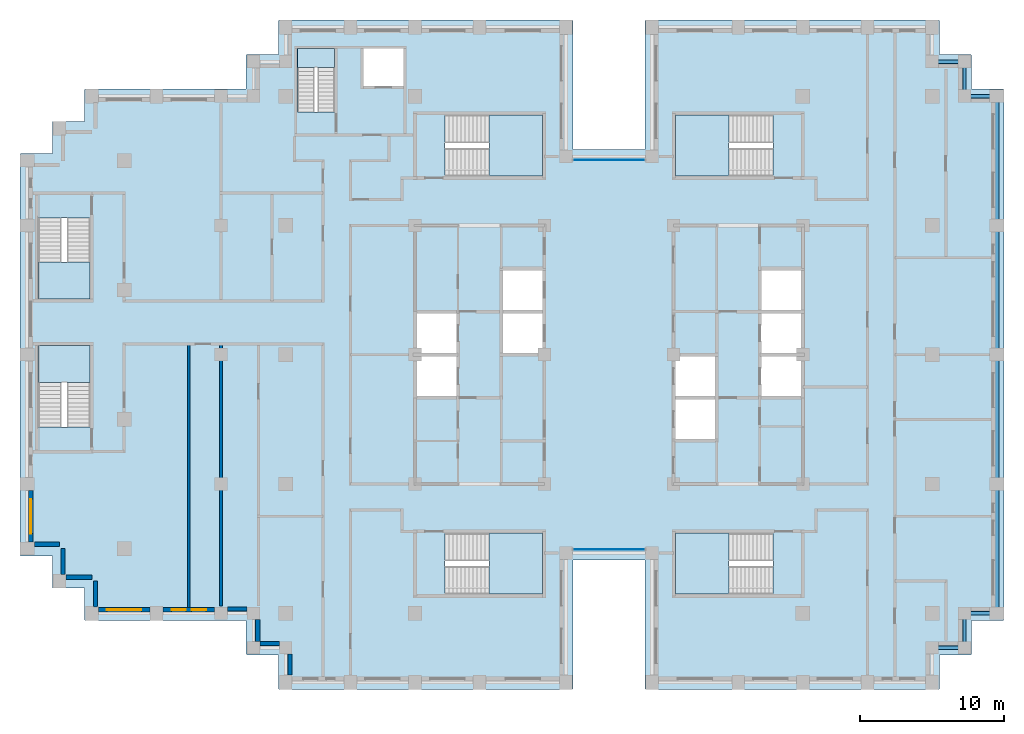
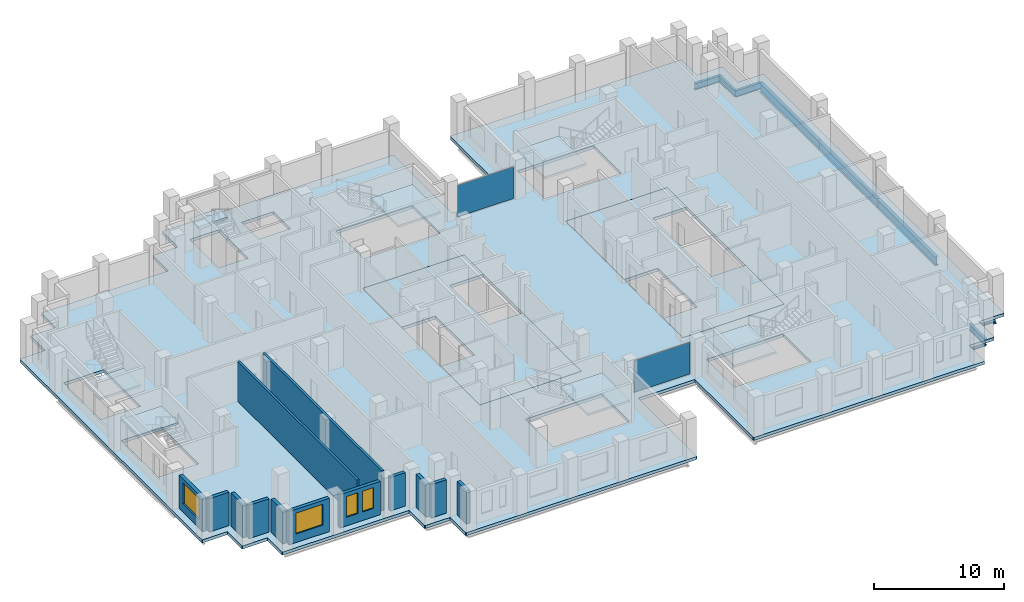
# One storey, part 5 of 15: 13 walls, 10 beams, 10 slabs, 4 windows, 2 plates, 4 openings, 9 elements without a shape of their own.
"""IFC4 building model written with IfcOpenShell, lengths in metres."""

from ifc_helpers import new_model, si_unit, direction, frame, frame_2d, origin, origin_2d, place, context, subcontext, project, spatial, polyline, rectangle, i_section, outline, extrude, material, layer, layer_set, material_profile, profile_set, type_object, element, fill, aggregate, save


model = new_model("IFC4")

# Units and contexts
model_context = context("Model", 3, precision=1e-05, world=origin(), true_north=direction((0.0, 1.0)))
body_context = subcontext(model_context, "Body", "Model", "MODEL_VIEW")
ifc_project = project(units=[si_unit("LENGTHUNIT", "METRE"), si_unit("AREAUNIT", "SQUARE_METRE"), si_unit("VOLUMEUNIT", "CUBIC_METRE"), si_unit("PLANEANGLEUNIT", "RADIAN"), si_unit("MASSUNIT", "GRAM", prefix="KILO")], contexts=[model_context])

# Site, building, storey
site_placement = place(None, origin())
site = spatial("IfcSite", under=ifc_project, at=site_placement, CompositionType="ELEMENT")
building_placement = place(site_placement, origin())
building = spatial("IfcBuilding", under=site, at=building_placement, Name="Corbelhall Arena Tower", CompositionType="ELEMENT")
storey_placement = place(building_placement, frame((0.0, 0.0, 196.0)))
storey = spatial("IfcBuildingStorey", under=building, at=storey_placement, Name="L40", CompositionType="ELEMENT", Elevation=196.0)

# Beams
ifc_material_1 = material(Name="Steel ASTM A992 Gr50", Category="steel")
ifc_material_profile_1 = material_profile(ifc_material_1, i_section(OverallWidth=0.228271484375, OverallDepth=0.607177734375, WebThickness=0.01123046875, FlangeThickness=0.017333984375, at=origin_2d()))
ifc_profile_set_1 = profile_set([ifc_material_profile_1], Name="Steel ASTM A992 Gr50")
beam_type_1 = type_object("IfcBeamType", Name="ST-SPANDREL-W24x76", PredefinedType="SPANDREL", material=ifc_profile_set_1)
for number, where, z_axis, x_axis, name in (
    (1, (27.0, -18.0, -0.58349609375), (-1.0, 0.0, 0.0), (0.0, -1.0, 0.0), "Beam SP 12"),
    (2, (22.5, 20.39990234375, -0.58349609375), (1.0, 0.0, 0.0), (0.0, 1.0, 0.0), "Beam SP 39"),
):
    element("IfcBeam", number, at=place(storey_placement, frame(where, z_axis=z_axis, x_axis=x_axis)), inside=storey, type_object=beam_type_1, Name=name, PredefinedType="SPANDREL", context=body_context, shape_type="SweptSolid", body=[
        extrude(i_section(OverallWidth=0.228271484375, OverallDepth=0.607177734375, WebThickness=0.01123046875, FlangeThickness=0.017333984375, at=origin_2d()), origin(), (0.0, 0.0, 1.0), 2.25),
    ])
beam_1_placement = place(storey_placement, frame((24.75, 20.39990234375, -0.58349609375), z_axis=(0.0, -1.0, 0.0), x_axis=(1.0, 0.0, 0.0)))
element("IfcBeam", 3, at=beam_1_placement, inside=storey, type_object=beam_type_1, Name="Beam SP 40", PredefinedType="SPANDREL", context=body_context, shape_type="SweptSolid", body=[
    extrude(i_section(OverallWidth=0.228271484375, OverallDepth=0.607177734375, WebThickness=0.01123046875, FlangeThickness=0.017333984375, at=origin_2d()), origin(), (0.0, 0.0, 1.0), 2.39990234375),
])
for number, where, z_axis, x_axis, name in (
    (4, (24.75, 18.0, -0.58349609375), (1.0, 0.0, 0.0), (0.0, 1.0, 0.0), "Beam SP 41"),
    (5, (24.75, -20.39990234375, -0.58349609375), (-1.0, 0.0, 0.0), (0.0, -1.0, 0.0), "Beam SP 46"),
):
    element("IfcBeam", number, at=place(storey_placement, frame(where, z_axis=z_axis, x_axis=x_axis)), inside=storey, type_object=beam_type_1, Name=name, PredefinedType="SPANDREL", context=body_context, shape_type="SweptSolid", body=[
        extrude(i_section(OverallWidth=0.228271484375, OverallDepth=0.607177734375, WebThickness=0.01123046875, FlangeThickness=0.017333984375, at=origin_2d()), origin(), (0.0, 0.0, 1.0), 2.25),
    ])
beam_2_placement = place(storey_placement, frame((24.75, -18.0, -0.58349609375), z_axis=(0.0, -1.0, 0.0), x_axis=(1.0, 0.0, 0.0)))
element("IfcBeam", 6, at=beam_2_placement, inside=storey, type_object=beam_type_1, Name="Beam SP 47", PredefinedType="SPANDREL", context=body_context, shape_type="SweptSolid", body=[
    extrude(i_section(OverallWidth=0.228271484375, OverallDepth=0.607177734375, WebThickness=0.01123046875, FlangeThickness=0.017333984375, at=origin_2d()), origin(), (0.0, 0.0, 1.0), 2.39990234375),
])
ifc_material_profile_2 = material_profile(ifc_material_1, i_section(OverallWidth=0.2919921875, OverallDepth=0.845703125, WebThickness=0.015380859375, FlangeThickness=0.0244140625, at=origin_2d()))
ifc_profile_set_2 = profile_set([ifc_material_profile_2], Name="Steel ASTM A992 Gr50")
beam_type_2 = type_object("IfcBeamType", Name="ST-SPANDREL-W33x141", PredefinedType="SPANDREL", material=ifc_profile_set_2)
for number, where, z_axis, x_axis, name in (
    (7, (27.0, 0.0, -0.702880859375), (0.0, -1.0, 0.0), (1.0, 0.0, 0.0), "Beam SP 8"),
    (8, (27.0, 9.0, -0.702880859375), (0.0, -1.0, 0.0), (1.0, 0.0, 0.0), "Beam SP 9"),
    (9, (27.0, 18.0, -0.702880859375), (0.0, -1.0, 0.0), (1.0, 0.0, 0.0), "Beam SP 10"),
    (10, (27.0, -9.0, -0.702880859375), (0.0, -1.0, 0.0), (1.0, 0.0, 0.0), "Beam SP 11"),
):
    element("IfcBeam", number, at=place(storey_placement, frame(where, z_axis=z_axis, x_axis=x_axis)), inside=storey, type_object=beam_type_2, Name=name, PredefinedType="SPANDREL", context=body_context, shape_type="SweptSolid", body=[
        extrude(i_section(OverallWidth=0.2919921875, OverallDepth=0.845703125, WebThickness=0.015380859375, FlangeThickness=0.0244140625, at=origin_2d()), origin(), (0.0, 0.0, 1.0), 9.0),
    ])

# Curtain wall, plate
ifc_material_2 = material(Name="Aluminium black anodised", Category="aluminium")
ifc_layer_1 = layer(ifc_material_2, 0.199951171875)
ifc_layer_set_1 = layer_set([ifc_layer_1], Name="EV-CW1 Slot back wall")
curtain_wall_type = type_object("IfcCurtainWallType", Name="EV-CW1 Slot back wall", PredefinedType="NOTDEFINED", material=ifc_layer_set_1)
curtain_wall_1_placement = place(storey_placement, origin())
curtain_wall_1 = element("IfcCurtainWall", 11, at=curtain_wall_1_placement, inside=storey, type_object=curtain_wall_type, Name="Curtain wall CW1", PredefinedType="NOTDEFINED")
ifc_material_3 = material(Name="Glass dark tinted laminated", Category="glass")
ifc_layer_2 = layer(ifc_material_3, 0.028076171875)
ifc_layer_set_2 = layer_set([ifc_layer_2], Name="EV-CW1-PANEL")
plate_type = type_object("IfcPlateType", Name="EV-CW1-PANEL", PredefinedType="CURTAIN_PANEL", material=ifc_layer_set_2)
plate_1_placement = place(storey_placement, frame((0.0, -13.550048828125, 0.0751953125), z_axis=(0.0, 0.0, 1.0), x_axis=(1.0, 0.0, 0.0)))
plate_1 = element("IfcPlate", 12, at=plate_1_placement, type_object=plate_type, Name="CW1 panel 1.1", PredefinedType="CURTAIN_PANEL", context=body_context, shape_type="SweptSolid", body=[
    extrude(rectangle(XDim=4.949951171875, YDim=0.028076171875, at=origin_2d()), origin(), (0.0, 0.0, 1.0), 2.969970703125),
])
aggregate(curtain_wall_1, [plate_1])

curtain_wall_2_placement = place(storey_placement, origin())
curtain_wall_2 = element("IfcCurtainWall", 13, at=curtain_wall_2_placement, inside=storey, type_object=curtain_wall_type, Name="Curtain wall CW1", PredefinedType="NOTDEFINED")
plate_2_placement = place(storey_placement, frame((0.0, 13.550048828125, 0.0751953125), z_axis=(0.0, 0.0, 1.0), x_axis=(-1.0, 0.0, 0.0)))
plate_2 = element("IfcPlate", 14, at=plate_2_placement, type_object=plate_type, Name="CW1 panel 1.1", PredefinedType="CURTAIN_PANEL", context=body_context, shape_type="SweptSolid", body=[
    extrude(rectangle(XDim=4.949951171875, YDim=0.028076171875, at=origin_2d()), origin(), (0.0, 0.0, 1.0), 2.969970703125),
])
aggregate(curtain_wall_2, [plate_2])

# Slabs
ifc_material_4 = material(Name="Concrete C40/50", Category="concrete")
ifc_layer_3 = layer(ifc_material_4, 0.300048828125)
ifc_layer_set_3 = layer_set([ifc_layer_3], Name="IN-SL-CORE")
slab_type_1 = type_object("IfcSlabType", Name="IN-SL-CORE", PredefinedType="FLOOR", material=ifc_layer_set_3)
slab_1_placement = place(storey_placement, frame((0.0, 0.0, -0.280029296875)))
element("IfcSlab", 15, at=slab_1_placement, inside=storey, type_object=slab_type_1, Name="Core floor W", PredefinedType="FLOOR", context=body_context, shape_type="SweptSolid", body=[
    extrude(outline(polyline([(-10.5, -3.0), (-13.5, -3.0), (-13.5, -9.0), (-4.5, -9.0), (-4.5, 0.0), (-7.5, 0.0), (-7.5, 3.0), (-7.5, 6.0), (-4.5, 6.0), (-4.5, 9.0), (-13.5, 9.0), (-13.5, 3.0), (-10.5, 3.0), (-10.5, 0.0), (-10.5, -3.0)])), origin(), (0.0, 0.0, 1.0), 0.280029296875),
])
slab_2_placement = place(storey_placement, frame((0.0, 0.0, -0.280029296875)))
element("IfcSlab", 16, at=slab_2_placement, inside=storey, type_object=slab_type_1, Name="Core floor E", PredefinedType="FLOOR", context=body_context, shape_type="SweptSolid", body=[
    extrude(outline(polyline([(13.5, -3.0), (10.5, -3.0), (10.5, 0.0), (10.5, 3.0), (10.5, 6.0), (13.5, 6.0), (13.5, 9.0), (4.5, 9.0), (4.5, 0.0), (7.5, 0.0), (7.5, -3.0), (7.5, -6.0), (4.5, -6.0), (4.5, -9.0), (13.5, -9.0), (13.5, -3.0)])), origin(), (0.0, 0.0, 1.0), 0.280029296875),
])

# Stair, slab
stair_type = type_object("IfcStairType", Name="IN-ST-TOWER", PredefinedType="HALF_TURN_STAIR", material=ifc_material_4)
stair_1_placement = place(storey_placement, origin())
stair_1 = element("IfcStair", 17, at=stair_1_placement, inside=storey, type_object=stair_type, Name="L40 Exit stair ST1", PredefinedType="HALF_TURN_STAIR")
ifc_layer_4 = layer(ifc_material_4, 0.199951171875)
ifc_layer_set_4 = layer_set([ifc_layer_4], Name="IN-SL-LANDING")
slab_type_2 = type_object("IfcSlabType", Name="IN-SL-LANDING", PredefinedType="LANDING", material=ifc_layer_set_4)
slab_3_placement = place(storey_placement, frame((0.0, 0.0, 1.800048828125)))
slab_3 = element("IfcSlab", 18, at=slab_3_placement, type_object=slab_type_2, Name="ST1 landing 1", PredefinedType="LANDING", context=body_context, shape_type="SweptSolid", body=[
    extrude(outline(polyline([(-8.344970703125, 12.425048828125), (-4.625, 12.425048828125), (-4.625, 16.675048828125), (-8.344970703125, 16.675048828125), (-8.344970703125, 12.425048828125)])), origin(), (0.0, 0.0, 1.0), 0.199951171875),
])
aggregate(stair_1, [slab_3])

stair_2_placement = place(storey_placement, origin())
stair_2 = element("IfcStair", 19, at=stair_2_placement, inside=storey, type_object=stair_type, Name="L40 Exit stair ST2", PredefinedType="HALF_TURN_STAIR")
slab_4_placement = place(storey_placement, frame((0.0, 0.0, 1.800048828125)))
slab_4 = element("IfcSlab", 20, at=slab_4_placement, type_object=slab_type_2, Name="ST2 landing 1", PredefinedType="LANDING", context=body_context, shape_type="SweptSolid", body=[
    extrude(outline(polyline([(-8.344970703125, -16.675048828125), (-4.625, -16.675048828125), (-4.625, -12.425048828125), (-8.344970703125, -12.425048828125), (-8.344970703125, -16.675048828125)])), origin(), (0.0, 0.0, 1.0), 0.199951171875),
])
aggregate(stair_2, [slab_4])

stair_3_placement = place(storey_placement, origin())
stair_3 = element("IfcStair", 21, at=stair_3_placement, inside=storey, type_object=stair_type, Name="L40 Exit stair ST3", PredefinedType="HALF_TURN_STAIR")
slab_5_placement = place(storey_placement, frame((0.0, 0.0, 1.800048828125)))
slab_5 = element("IfcSlab", 22, at=slab_5_placement, type_object=slab_type_2, Name="ST3 landing 1", PredefinedType="LANDING", context=body_context, shape_type="SweptSolid", body=[
    extrude(outline(polyline([(8.344970703125, 16.675048828125), (4.625, 16.675048828125), (4.625, 12.425048828125), (8.344970703125, 12.425048828125), (8.344970703125, 16.675048828125)])), origin(), (0.0, 0.0, 1.0), 0.199951171875),
])
aggregate(stair_3, [slab_5])

stair_4_placement = place(storey_placement, origin())
stair_4 = element("IfcStair", 23, at=stair_4_placement, inside=storey, type_object=stair_type, Name="L40 Exit stair ST4", PredefinedType="HALF_TURN_STAIR")
slab_6_placement = place(storey_placement, frame((0.0, 0.0, 1.800048828125)))
slab_6 = element("IfcSlab", 24, at=slab_6_placement, type_object=slab_type_2, Name="ST4 landing 1", PredefinedType="LANDING", context=body_context, shape_type="SweptSolid", body=[
    extrude(outline(polyline([(8.344970703125, -12.425048828125), (4.625, -12.425048828125), (4.625, -16.675048828125), (8.344970703125, -16.675048828125), (8.344970703125, -12.425048828125)])), origin(), (0.0, 0.0, 1.0), 0.199951171875),
])
aggregate(stair_4, [slab_6])

stair_5_placement = place(storey_placement, origin())
stair_5 = element("IfcStair", 25, at=stair_5_placement, inside=storey, type_object=stair_type, Name="L40 Exit stair SC1", PredefinedType="HALF_TURN_STAIR")
slab_7_placement = place(storey_placement, frame((0.0, 0.0, 1.800048828125)))
slab_7 = element("IfcSlab", 26, at=slab_7_placement, type_object=slab_type_2, Name="SC1 landing 1", PredefinedType="LANDING", context=body_context, shape_type="SweptSolid", body=[
    extrude(outline(polyline([(-39.699951171875, 6.445068359375), (-39.699951171875, 3.875), (-36.125, 3.875), (-36.125, 6.445068359375), (-39.699951171875, 6.445068359375)])), origin(), (0.0, 0.0, 1.0), 0.199951171875),
])
aggregate(stair_5, [slab_7])

stair_6_placement = place(storey_placement, origin())
stair_6 = element("IfcStair", 27, at=stair_6_placement, inside=storey, type_object=stair_type, Name="L40 Exit stair SC2", PredefinedType="HALF_TURN_STAIR")
slab_8_placement = place(storey_placement, frame((0.0, 0.0, 1.800048828125)))
slab_8 = element("IfcSlab", 28, at=slab_8_placement, type_object=slab_type_2, Name="SC2 landing 1", PredefinedType="LANDING", context=body_context, shape_type="SweptSolid", body=[
    extrude(outline(polyline([(-36.125, -1.945068359375), (-36.125, 0.625), (-39.699951171875, 0.625), (-39.699951171875, -1.945068359375), (-36.125, -1.945068359375)])), origin(), (0.0, 0.0, 1.0), 0.199951171875),
])
aggregate(stair_6, [slab_8])

stair_7_placement = place(storey_placement, origin())
stair_7 = element("IfcStair", 29, at=stair_7_placement, inside=storey, type_object=stair_type, Name="L40 Exit stair ST5", PredefinedType="HALF_TURN_STAIR")
slab_9_placement = place(storey_placement, frame((0.0, 0.0, 1.800048828125)))
slab_9 = element("IfcSlab", 30, at=slab_9_placement, type_object=slab_type_2, Name="ST5 landing 1", PredefinedType="LANDING", context=body_context, shape_type="SweptSolid", body=[
    extrude(outline(polyline([(-19.094970703125, 19.97998046875), (-19.094970703125, 21.300048828125), (-21.695068359375, 21.300048828125), (-21.695068359375, 19.97998046875), (-19.094970703125, 19.97998046875)])), origin(), (0.0, 0.0, 1.0), 0.199951171875),
])
aggregate(stair_7, [slab_9])

# Slab
ifc_layer_5 = layer(ifc_material_4, 0.280029296875)
ifc_layer_set_5 = layer_set([ifc_layer_5], Name="ST-SLAB-FLOOR-280")
slab_type_3 = type_object("IfcSlabType", Name="ST-SLAB-FLOOR-280", PredefinedType="FLOOR", material=ifc_layer_set_5)
slab_10_placement = place(storey_placement, frame((0.0, 0.0, -0.280029296875)))
element("IfcSlab", 31, at=slab_10_placement, inside=storey, type_object=slab_type_3, Name="Floor slab L40 1", PredefinedType="FLOOR", context=body_context, shape_type="SweptSolid", body=[
    extrude(outline(polyline([(23.0, 23.25), (22.949951171875, 23.300048828125), (2.550048828125, 23.300048828125), (2.5, 23.25), (2.5, 14.300048828125), (-2.5, 14.300048828125), (-2.5, 23.25), (-2.550048828125, 23.300048828125), (-22.949951171875, 23.300048828125), (-23.0, 23.25), (-23.0, 20.89990234375), (-25.199951171875, 20.89990234375), (-25.25, 20.85009765625), (-25.25, 18.5), (-36.449951171875, 18.5), (-36.5, 18.449951171875), (-36.5, 16.25), (-38.699951171875, 16.25), (-38.75, 16.199951171875), (-38.75, 14.0), (-40.949951171875, 14.0), (-41.0, 13.949951171875), (-41.0, -13.949951171875), (-40.949951171875, -14.0), (-38.75, -14.0), (-38.75, -16.199951171875), (-38.699951171875, -16.25), (-36.5, -16.25), (-36.5, -18.449951171875), (-36.449951171875, -18.5), (-25.25, -18.5), (-25.25, -20.85009765625), (-25.199951171875, -20.89990234375), (-23.0, -20.89990234375), (-23.0, -23.25), (-22.949951171875, -23.300048828125), (-2.550048828125, -23.300048828125), (-2.5, -23.25), (-2.5, -14.300048828125), (2.5, -14.300048828125), (2.5, -23.25), (2.550048828125, -23.300048828125), (22.949951171875, -23.300048828125), (23.0, -23.25), (23.0, -20.89990234375), (25.199951171875, -20.89990234375), (25.25, -20.85009765625), (25.25, -18.5), (27.449951171875, -18.5), (27.5, -18.449951171875), (27.5, 18.449951171875), (27.449951171875, 18.5), (25.25, 18.5), (25.25, 20.85009765625), (25.199951171875, 20.89990234375), (23.0, 20.89990234375), (23.0, 23.25)]), holes=[polyline([(-4.5, -9.0), (-4.5, 9.0), (-13.5, 9.0), (-13.5, -9.0), (-4.5, -9.0)]), polyline([(13.5, -9.0), (13.5, 9.0), (4.5, 9.0), (4.5, -9.0), (13.5, -9.0)]), polyline([(-11.422119140625, 12.425048828125), (-4.625, 12.425048828125), (-4.625, 16.675048828125), (-11.422119140625, 16.675048828125), (-11.422119140625, 12.425048828125)]), polyline([(-11.422119140625, -12.425048828125), (-11.422119140625, -16.675048828125), (-4.625, -16.675048828125), (-4.625, -12.425048828125), (-11.422119140625, -12.425048828125)]), polyline([(4.625, 12.425048828125), (11.422119140625, 12.425048828125), (11.422119140625, 16.675048828125), (4.625, 16.675048828125), (4.625, 12.425048828125)]), polyline([(4.625, -12.425048828125), (4.625, -16.675048828125), (11.422119140625, -16.675048828125), (11.422119140625, -12.425048828125), (4.625, -12.425048828125)]), polyline([(-39.699951171875, 9.52197265625), (-39.699951171875, 3.875), (-36.125, 3.875), (-36.125, 9.52197265625), (-39.699951171875, 9.52197265625)]), polyline([(-39.699951171875, -5.02197265625), (-36.125, -5.02197265625), (-36.125, 0.625), (-39.699951171875, 0.625), (-39.699951171875, -5.02197265625)]), polyline([(-21.695068359375, 21.300048828125), (-21.695068359375, 16.903076171875), (-19.094970703125, 16.903076171875), (-19.094970703125, 21.300048828125), (-21.695068359375, 21.300048828125)]), polyline([(-14.300048828125, 21.300048828125), (-17.10009765625, 21.300048828125), (-17.10009765625, 18.699951171875), (-14.300048828125, 18.699951171875), (-14.300048828125, 21.300048828125)])]), origin(), (0.0, 0.0, 1.0), 0.280029296875),
])

# Walls
ifc_material_5 = material(Name="Precast concrete C40/50 with granite facing", Category="masonry")
ifc_layer_6 = layer(ifc_material_5, 0.300048828125)
ifc_layer_set_6 = layer_set([ifc_layer_6], Name="EV-IW1 Infill panel 300")
wall_type_1 = type_object("IfcWallType", Name="EV-IW1 Infill panel 300", PredefinedType="SOLIDWALL", material=ifc_layer_set_6)
wall_1_placement = place(storey_placement, frame((-40.0, -13.199951171875, 0.0), z_axis=(0.0, 0.0, 1.0), x_axis=(1.0, 0.0, 0.0)))
element("IfcWall", 32, at=wall_1_placement, inside=storey, type_object=wall_type_1, Name="Infill panel IW1", PredefinedType="SOLIDWALL", context=body_context, shape_type="SweptSolid", body=[
    extrude(rectangle(XDim=1.75, YDim=0.300048828125, at=frame_2d((0.875, 0.0))), origin(), (0.0, 0.0, 1.0), 3.1201171875),
])
for number, where, z_axis, x_axis, name in (
    (33, (-38.0, -15.300048828125, 0.0), (0.0, 0.0, 1.0), (0.0, 1.0, 0.0), "Infill panel IW1"),
    (34, (-37.800048828125, -15.5, 0.0), (0.0, 0.0, 1.0), (1.0, 0.0, 0.0), "Infill panel IW1"),
    (35, (-35.75, -17.550048828125, 0.0), (0.0, 0.0, 1.0), (0.0, 1.0, 0.0), "Infill panel IW1"),
):
    element("IfcWall", number, at=place(storey_placement, frame(where, z_axis=z_axis, x_axis=x_axis)), inside=storey, type_object=wall_type_1, Name=name, PredefinedType="SOLIDWALL", context=body_context, shape_type="SweptSolid", body=[
        extrude(rectangle(XDim=1.800048828125, YDim=0.300048828125, at=frame_2d((0.89990234375, 0.0))), origin(), (0.0, 0.0, 1.0), 3.1201171875),
    ])

# Wall, opening, window
wall_2_placement = place(storey_placement, frame((-40.25, -9.449951171875, 0.0), z_axis=(0.0, 0.0, 1.0), x_axis=(0.0, -1.0, 0.0)))
wall_2 = element("IfcWall", 36, at=wall_2_placement, inside=storey, type_object=wall_type_1, Name="Infill panel IW1", PredefinedType="SOLIDWALL", context=body_context, shape_type="SweptSolid", body=[
    extrude(rectangle(XDim=3.60009765625, YDim=0.300048828125, at=frame_2d((1.800048828125, 0.0))), origin(), (0.0, 0.0, 1.0), 3.1201171875),
])
opening_1_placement = place(wall_2_placement, frame((0.60009765625, 0.0, 0.800048828125)))
opening_1 = element("IfcOpeningElement", 37, at=opening_1_placement, cuts=wall_2, Name="Opening WN1", PredefinedType="OPENING", context=body_context, shape_type="SweptSolid", body=[
    extrude(rectangle(XDim=2.39990234375, YDim=1.949951171875, at=frame_2d((1.199951171875, 0.97509765625))), frame((0.0, 0.14990234375, 0.0), z_axis=(0.0, -1.0, 0.0), x_axis=(1.0, 0.0, 0.0)), (0.0, 0.0, 1.0), 0.300048828125),
])
window_type_1 = type_object("IfcWindowType", Name="EV-WN1 Office window", PartitioningType="SINGLE_PANEL", PredefinedType="WINDOW", material=ifc_material_2)
window_1_placement = place(opening_1_placement, origin())
window_1 = element("IfcWindow", 38, at=window_1_placement, inside=storey, type_object=window_type_1, Name="Window WN1", OverallHeight=1.949951171875, OverallWidth=2.39990234375, PartitioningType="SINGLE_PANEL", PredefinedType="WINDOW", context=body_context, shape_type="SweptSolid", body=[
    extrude(rectangle(XDim=2.39990234375, YDim=1.949951171875, at=frame_2d((1.199951171875, 0.97509765625))), frame((0.0, 0.030029296875, 0.0), z_axis=(0.0, -1.0, 0.0), x_axis=(1.0, 0.0, 0.0)), (0.0, 0.0, 1.0), 0.06005859375),
])
fill(opening_1, window_1)

wall_3_placement = place(storey_placement, frame((-35.550048828125, -17.75, 0.0), z_axis=(0.0, 0.0, 1.0), x_axis=(1.0, 0.0, 0.0)))
wall_3 = element("IfcWall", 39, at=wall_3_placement, inside=storey, type_object=wall_type_1, Name="Infill panel IW1", PredefinedType="SOLIDWALL", context=body_context, shape_type="SweptSolid", body=[
    extrude(rectangle(XDim=3.60009765625, YDim=0.300048828125, at=frame_2d((1.800048828125, 0.0))), origin(), (0.0, 0.0, 1.0), 3.1201171875),
])
opening_2_placement = place(wall_3_placement, frame((0.60009765625, 0.0, 0.800048828125)))
opening_2 = element("IfcOpeningElement", 40, at=opening_2_placement, cuts=wall_3, Name="Opening WN1", PredefinedType="OPENING", context=body_context, shape_type="SweptSolid", body=[
    extrude(rectangle(XDim=2.39990234375, YDim=1.949951171875, at=frame_2d((1.199951171875, 0.97509765625))), frame((0.0, 0.14990234375, 0.0), z_axis=(0.0, -1.0, 0.0), x_axis=(1.0, 0.0, 0.0)), (0.0, 0.0, 1.0), 0.300048828125),
])
window_2_placement = place(opening_2_placement, origin())
window_2 = element("IfcWindow", 41, at=window_2_placement, inside=storey, type_object=window_type_1, Name="Window WN1", OverallHeight=1.949951171875, OverallWidth=2.39990234375, PartitioningType="SINGLE_PANEL", PredefinedType="WINDOW", context=body_context, shape_type="SweptSolid", body=[
    extrude(rectangle(XDim=2.39990234375, YDim=1.949951171875, at=frame_2d((1.199951171875, 0.97509765625))), frame((0.0, 0.030029296875, 0.0), z_axis=(0.0, -1.0, 0.0), x_axis=(1.0, 0.0, 0.0)), (0.0, 0.0, 1.0), 0.06005859375),
])
fill(opening_2, window_2)

# Wall, openings, windows
wall_4_placement = place(storey_placement, frame((-31.050048828125, -17.75, 0.0), z_axis=(0.0, 0.0, 1.0), x_axis=(1.0, 0.0, 0.0)))
wall_4 = element("IfcWall", 42, at=wall_4_placement, inside=storey, type_object=wall_type_1, Name="Infill panel IW1", PredefinedType="SOLIDWALL", context=body_context, shape_type="SweptSolid", body=[
    extrude(rectangle(XDim=3.60009765625, YDim=0.300048828125, at=frame_2d((1.800048828125, 0.0))), origin(), (0.0, 0.0, 1.0), 3.1201171875),
])
opening_3_placement = place(wall_4_placement, frame((0.60009765625, 0.0, 0.800048828125)))
opening_3 = element("IfcOpeningElement", 43, at=opening_3_placement, cuts=wall_4, Name="Opening WN6", PredefinedType="OPENING", context=body_context, shape_type="SweptSolid", body=[
    extrude(rectangle(XDim=1.0, YDim=1.949951171875, at=frame_2d((0.5, 0.97509765625))), frame((0.0, 0.14990234375, 0.0), z_axis=(0.0, -1.0, 0.0), x_axis=(1.0, 0.0, 0.0)), (0.0, 0.0, 1.0), 0.300048828125),
])
opening_4_placement = place(wall_4_placement, frame((2.0, 0.0, 0.800048828125)))
opening_4 = element("IfcOpeningElement", 44, at=opening_4_placement, cuts=wall_4, Name="Opening WN6", PredefinedType="OPENING", context=body_context, shape_type="SweptSolid", body=[
    extrude(rectangle(XDim=1.0, YDim=1.949951171875, at=frame_2d((0.5, 0.97509765625))), frame((0.0, 0.14990234375, 0.0), z_axis=(0.0, -1.0, 0.0), x_axis=(1.0, 0.0, 0.0)), (0.0, 0.0, 1.0), 0.300048828125),
])
window_type_2 = type_object("IfcWindowType", Name="EV-WN6 Office window 1000", PartitioningType="SINGLE_PANEL", PredefinedType="WINDOW", material=ifc_material_2)
window_3_placement = place(opening_3_placement, origin())
window_3 = element("IfcWindow", 45, at=window_3_placement, inside=storey, type_object=window_type_2, Name="Window WN6", OverallHeight=1.949951171875, OverallWidth=1.0, PartitioningType="SINGLE_PANEL", PredefinedType="WINDOW", context=body_context, shape_type="SweptSolid", body=[
    extrude(rectangle(XDim=1.0, YDim=1.949951171875, at=frame_2d((0.5, 0.97509765625))), frame((0.0, 0.030029296875, 0.0), z_axis=(0.0, -1.0, 0.0), x_axis=(1.0, 0.0, 0.0)), (0.0, 0.0, 1.0), 0.06005859375),
])
fill(opening_3, window_3)
window_4_placement = place(opening_4_placement, origin())
window_4 = element("IfcWindow", 46, at=window_4_placement, inside=storey, type_object=window_type_2, Name="Window WN6", OverallHeight=1.949951171875, OverallWidth=1.0, PartitioningType="SINGLE_PANEL", PredefinedType="WINDOW", context=body_context, shape_type="SweptSolid", body=[
    extrude(rectangle(XDim=1.0, YDim=1.949951171875, at=frame_2d((0.5, 0.97509765625))), frame((0.0, 0.030029296875, 0.0), z_axis=(0.0, -1.0, 0.0), x_axis=(1.0, 0.0, 0.0)), (0.0, 0.0, 1.0), 0.06005859375),
])
fill(opening_4, window_4)

# Walls
wall_5_placement = place(storey_placement, frame((-26.550048828125, -17.699951171875, 0.0), z_axis=(0.0, 0.0, 1.0), x_axis=(1.0, 0.0, 0.0)))
element("IfcWall", 47, at=wall_5_placement, inside=storey, type_object=wall_type_1, Name="Infill panel IW1", PredefinedType="SOLIDWALL", context=body_context, shape_type="SweptSolid", body=[
    extrude(rectangle(XDim=1.35009765625, YDim=0.300048828125, at=frame_2d((0.675048828125, 0.0))), origin(), (0.0, 0.0, 1.0), 3.1201171875),
])
wall_6_placement = place(storey_placement, frame((-24.449951171875, -18.449951171875, 0.0), z_axis=(0.0, 0.0, 1.0), x_axis=(0.0, -1.0, 0.0)))
element("IfcWall", 48, at=wall_6_placement, inside=storey, type_object=wall_type_1, Name="Infill panel IW1", PredefinedType="SOLIDWALL", context=body_context, shape_type="SweptSolid", body=[
    extrude(rectangle(XDim=1.5, YDim=0.300048828125, at=frame_2d((0.75, 0.0))), origin(), (0.0, 0.0, 1.0), 3.1201171875),
])
wall_7_placement = place(storey_placement, frame((-24.300048828125, -20.10009765625, 0.0), z_axis=(0.0, 0.0, 1.0), x_axis=(1.0, 0.0, 0.0)))
element("IfcWall", 49, at=wall_7_placement, inside=storey, type_object=wall_type_1, Name="Infill panel IW1", PredefinedType="SOLIDWALL", context=body_context, shape_type="SweptSolid", body=[
    extrude(rectangle(XDim=1.35009765625, YDim=0.300048828125, at=frame_2d((0.675048828125, 0.0))), origin(), (0.0, 0.0, 1.0), 3.1201171875),
])
wall_8_placement = place(storey_placement, frame((-22.199951171875, -20.85009765625, 0.0), z_axis=(0.0, 0.0, 1.0), x_axis=(0.0, -1.0, 0.0)))
element("IfcWall", 50, at=wall_8_placement, inside=storey, type_object=wall_type_1, Name="Infill panel IW1", PredefinedType="SOLIDWALL", context=body_context, shape_type="SweptSolid", body=[
    extrude(rectangle(XDim=1.449951171875, YDim=0.300048828125, at=frame_2d((0.72509765625, 0.0))), origin(), (0.0, 0.0, 1.0), 3.1201171875),
])
ifc_material_6 = material(Name="Gypsum board on steel stud, acoustic", Category="steel")
ifc_layer_7 = layer(ifc_material_6, 0.199951171875)
ifc_layer_set_7 = layer_set([ifc_layer_7], Name="IN-W-DM200")
wall_type_2 = type_object("IfcWallType", Name="IN-W-DM200", PredefinedType="PARTITIONING", material=ifc_layer_set_7)
wall_9_placement = place(storey_placement, frame((-29.25, 0.75, 0.0), z_axis=(0.0, 0.0, 1.0), x_axis=(0.0, -1.0, 0.0)))
element("IfcWall", 51, at=wall_9_placement, inside=storey, type_object=wall_type_2, Name="Partition 006", PredefinedType="PARTITIONING", context=body_context, shape_type="SweptSolid", body=[
    extrude(rectangle(XDim=18.35009765625, YDim=0.199951171875, at=frame_2d((9.175048828125, 0.0))), origin(), (0.0, 0.0, 1.0), 3.719970703125),
])
wall_10_placement = place(storey_placement, frame((-27.0, -17.5, 0.0), z_axis=(0.0, 0.0, 1.0), x_axis=(0.0, 1.0, 0.0)))
element("IfcWall", 52, at=wall_10_placement, inside=storey, type_object=wall_type_2, Name="Partition 009", PredefinedType="PARTITIONING", context=body_context, shape_type="SweptSolid", body=[
    extrude(rectangle(XDim=18.25, YDim=0.199951171875, at=frame_2d((9.125, 0.0))), origin(), (0.0, 0.0, 1.0), 3.719970703125),
])

save(model, "model.ifc")
